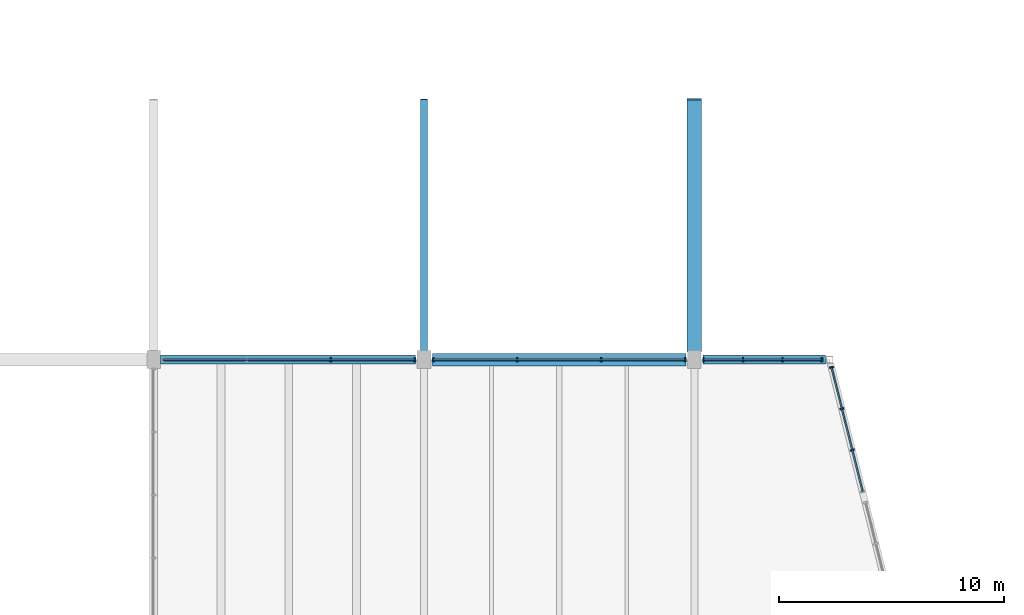
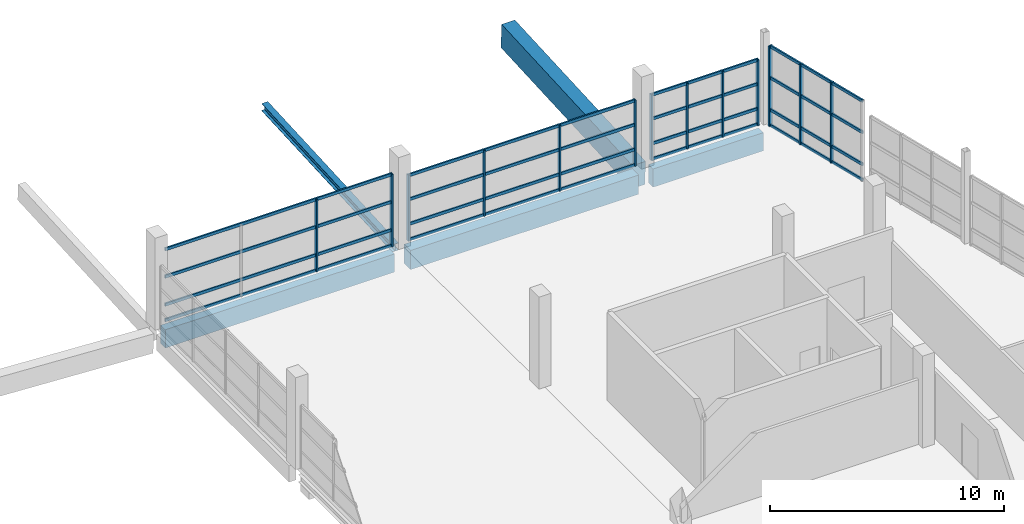
# One storey, part 25 of 49: 29 members, 5 beams, 4 elements without a shape of their own.
"""IFC4 building model written with IfcOpenShell, lengths in metres."""

from ifc_helpers import new_model, si_unit, direction, frame, origin, origin_2d, place, context, subcontext, project, spatial, rectangle, i_section, extrude, material, material_profile, profile_set, type_object, element, aggregate, save


model = new_model("IFC4")

# Units and contexts
model_context = context("Model", 3, precision=1e-05, world=origin(), true_north=direction((0.0, 1.0)))
body_context = subcontext(model_context, "Body", "Model", "MODEL_VIEW")
ifc_project = project(units=[si_unit("LENGTHUNIT", "METRE"), si_unit("AREAUNIT", "SQUARE_METRE"), si_unit("VOLUMEUNIT", "CUBIC_METRE"), si_unit("PLANEANGLEUNIT", "RADIAN"), si_unit("MASSUNIT", "GRAM", prefix="KILO")], contexts=[model_context])

# Site, building, storey
site_placement = place(None, origin())
site = spatial("IfcSite", under=ifc_project, at=site_placement, CompositionType="ELEMENT")
building_placement = place(site_placement, origin())
building = spatial("IfcBuilding", under=site, at=building_placement, Name="Kamomehara Wholesale Market", CompositionType="ELEMENT")
storey_placement = place(building_placement, frame((0.0, 0.0, 11.39990234375)))
storey = spatial("IfcBuildingStorey", under=building, at=storey_placement, Name="L02", CompositionType="ELEMENT", Elevation=11.39990234375)

# Beams
ifc_material_1 = material(Name="Precast concrete Fc45 (C40/50)", Category="concrete")
ifc_material_profile_1 = material_profile(ifc_material_1, rectangle(XDim=0.64990234375, YDim=1.25, at=origin_2d()), Name="PC-GRD-650x1250")
ifc_profile_set_1 = profile_set([ifc_material_profile_1], Name="Precast concrete Fc45 (C40/50)")
beam_type_1 = type_object("IfcBeamType", Name="BM-PG1250", PredefinedType="T_BEAM", material=ifc_profile_set_1)
beam_1_placement = place(storey_placement, frame((180.0, 96.375, -0.8837890625), z_axis=(0.0, 0.998562445583, 0.053600767457), x_axis=(-1.0, 0.0, 0.0)))
element("IfcBeam", 1, at=beam_1_placement, inside=storey, type_object=beam_type_1, Name="Beam PG-04 L02", PredefinedType="T_BEAM", context=body_context, shape_type="SweptSolid", body=[
    extrude(rectangle(XDim=0.64990234375, YDim=1.25, at=origin_2d()), origin(), (0.0, 0.0, 1.0), 11.191162109375),
])
ifc_material_2 = material(Name="Concrete Fc36 (C35/45)", Category="concrete")
ifc_material_profile_2 = material_profile(ifc_material_2, rectangle(XDim=0.550048828125, YDim=1.0, at=origin_2d()), Name="RC-SEB-550x1000")
ifc_profile_set_2 = profile_set([ifc_material_profile_2], Name="Concrete Fc36 (C35/45)")
beam_type_2 = type_object("IfcBeamType", Name="BM-SEB1000-EXT", PredefinedType="SPANDREL", material=ifc_profile_set_2)
beam_2_placement = place(storey_placement, frame((168.375, 96.0, -0.851806640625), z_axis=(1.0, 0.0, 0.0), x_axis=(0.0, 1.0, 0.0)))
element("IfcBeam", 2, at=beam_2_placement, inside=storey, type_object=beam_type_2, Name="Beam SEB-03E L02", PredefinedType="SPANDREL", context=body_context, shape_type="SweptSolid", body=[
    extrude(rectangle(XDim=0.550048828125, YDim=1.0, at=origin_2d()), origin(), (0.0, 0.0, 1.0), 11.25),
])
ifc_material_3 = material(Name="Precast concrete Fc45 (C40/50)", Category="concrete")
ifc_material_profile_3 = material_profile(ifc_material_3, rectangle(XDim=0.39990234375, YDim=0.949951171875, at=origin_2d()), Name="PC-SPN-400x950")
ifc_profile_set_3 = profile_set([ifc_material_profile_3], Name="Precast concrete Fc45 (C40/50)")
beam_type_3 = type_object("IfcBeamType", Name="BM-SPN950-EXT", PredefinedType="SPANDREL", material=ifc_profile_set_3)
beam_3_placement = place(storey_placement, frame((156.31005859375, 96.0, -0.786865234375), z_axis=(1.0, 0.0, 0.0), x_axis=(0.0, 1.0, 0.0)))
element("IfcBeam", 3, at=beam_3_placement, inside=storey, type_object=beam_type_3, Name="Beam SPN-01E L02", PredefinedType="SPANDREL", context=body_context, shape_type="SweptSolid", body=[
    extrude(rectangle(XDim=0.39990234375, YDim=0.949951171875, at=origin_2d()), origin(), (0.0, 0.0, 1.0), 11.31494140625),
])
beam_4_placement = place(storey_placement, frame((180.375, 96.0, -0.826904296875), z_axis=(1.0, 0.0, 0.0), x_axis=(0.0, 1.0, 0.0)))
element("IfcBeam", 4, at=beam_4_placement, inside=storey, type_object=beam_type_3, Name="Beam SPN-01E L02", PredefinedType="SPANDREL", context=body_context, shape_type="SweptSolid", body=[
    extrude(rectangle(XDim=0.39990234375, YDim=0.949951171875, at=origin_2d()), origin(), (0.0, 0.0, 1.0), 5.447021484375),
])
ifc_material_4 = material(Name="Steel SN490B", Category="steel")
ifc_material_profile_4 = material_profile(ifc_material_4, i_section(OverallWidth=0.300048828125, OverallDepth=0.389892578125, WebThickness=0.010009765625, FlangeThickness=0.01611328125, FilletRadius=0.01806640625, at=origin_2d()), Name="H-390x300x10x16")
ifc_profile_set_4 = profile_set([ifc_material_profile_4], Name="Steel SN490B")
beam_type_4 = type_object("IfcBeamType", Name="BM-ST-H390-EXT", PredefinedType="SPANDREL", material=ifc_profile_set_4)
beam_5_placement = place(storey_placement, frame((168.0, 96.375, -0.454833984375), z_axis=(0.0, 0.998562445583, 0.053600767457), x_axis=(-1.0, 0.0, 0.0)))
element("IfcBeam", 5, at=beam_5_placement, inside=storey, type_object=beam_type_4, Name="Beam SJ-03E L02", PredefinedType="SPANDREL", context=body_context, shape_type="SweptSolid", body=[
    extrude(i_section(OverallWidth=0.300048828125, OverallDepth=0.389892578125, WebThickness=0.010009765625, FlangeThickness=0.01611328125, FilletRadius=0.01806640625, at=origin_2d()), origin(), (0.0, 0.0, 1.0), 11.191162109375),
])

# Curtain wall, members
ifc_material_5 = material(Name="Anodised aluminium 6063-T5", Category="aluminium")
curtain_wall_type_1 = type_object("IfcCurtainWallType", Name="CW-UN-09", PredefinedType="NOTDEFINED", material=ifc_material_5)
curtain_wall_1_placement = place(storey_placement, origin())
curtain_wall_1 = element("IfcCurtainWall", 6, at=curtain_wall_1_placement, inside=storey, type_object=curtain_wall_type_1, Name="Unitised curtain wall CW-203", PredefinedType="NOTDEFINED")
ifc_material_6 = material(Name="Anodised aluminium 6063-T5", Category="aluminium")
ifc_material_profile_5 = material_profile(ifc_material_6, rectangle(XDim=0.074951171875, YDim=0.179931640625, at=origin_2d()), Name="ALU-MUL-75x180")
ifc_profile_set_5 = profile_set([ifc_material_profile_5], Name="Anodised aluminium 6063-T5")
member_type_1 = type_object("IfcMemberType", Name="CW-MUL-180", PredefinedType="MULLION", material=ifc_profile_set_5)
member_1_placement = place(storey_placement, frame((186.0849609375, 95.659912109375, 0.0), z_axis=(0.0, 0.0, 1.0), x_axis=(0.242617855844, -0.97012193874, 0.0)))
member_1 = element("IfcMember", 7, at=member_1_placement, type_object=member_type_1, Name="Mullion CW-203.0", PredefinedType="MULLION", context=body_context, shape_type="SweptSolid", body=[
    extrude(rectangle(XDim=0.074951171875, YDim=0.179931640625, at=origin_2d()), origin(), (0.0, 0.0, 1.0), 4.192138671875),
])
member_2_placement = place(storey_placement, frame((186.544921875, 93.822021484375, 0.0), z_axis=(0.0, 0.0, 1.0), x_axis=(0.242617855844, -0.97012193874, 0.0)))
member_2 = element("IfcMember", 8, at=member_2_placement, type_object=member_type_1, Name="Mullion CW-203.1", PredefinedType="MULLION", context=body_context, shape_type="SweptSolid", body=[
    extrude(rectangle(XDim=0.074951171875, YDim=0.179931640625, at=origin_2d()), origin(), (0.0, 0.0, 1.0), 4.192138671875),
])
member_3_placement = place(storey_placement, frame((187.00390625, 91.98388671875, 0.0), z_axis=(0.0, 0.0, 1.0), x_axis=(0.242617855844, -0.97012193874, 0.0)))
member_3 = element("IfcMember", 9, at=member_3_placement, type_object=member_type_1, Name="Mullion CW-203.2", PredefinedType="MULLION", context=body_context, shape_type="SweptSolid", body=[
    extrude(rectangle(XDim=0.074951171875, YDim=0.179931640625, at=origin_2d()), origin(), (0.0, 0.0, 1.0), 4.192138671875),
])

ifc_material_7 = material(Name="Anodised aluminium 6063-T5", Category="aluminium")
curtain_wall_type_2 = type_object("IfcCurtainWallType", Name="CW-UN-08", PredefinedType="NOTDEFINED", material=ifc_material_7)
curtain_wall_2_placement = place(storey_placement, origin())
curtain_wall_2 = element("IfcCurtainWall", 10, at=curtain_wall_2_placement, inside=storey, type_object=curtain_wall_type_2, Name="Unitised curtain wall CW-205", PredefinedType="NOTDEFINED")
member_4_placement = place(storey_placement, frame((163.863037109375, 96.0, 0.0), z_axis=(0.0, 0.0, 1.0), x_axis=(1.0, 0.0, 0.0)))
member_4 = element("IfcMember", 11, at=member_4_placement, type_object=member_type_1, Name="Mullion CW-205.2", PredefinedType="MULLION", context=body_context, shape_type="SweptSolid", body=[
    extrude(rectangle(XDim=0.074951171875, YDim=0.179931640625, at=origin_2d()), origin(), (0.0, 0.0, 1.0), 3.780029296875),
])
member_5_placement = place(storey_placement, frame((167.590087890625, 96.0, 0.0), z_axis=(0.0, 0.0, 1.0), x_axis=(1.0, 0.0, 0.0)))
member_5 = element("IfcMember", 12, at=member_5_placement, type_object=member_type_1, Name="Mullion CW-205.3", PredefinedType="MULLION", context=body_context, shape_type="SweptSolid", body=[
    extrude(rectangle(XDim=0.074951171875, YDim=0.179931640625, at=origin_2d()), origin(), (0.0, 0.0, 1.0), 3.780029296875),
])

curtain_wall_3_placement = place(storey_placement, origin())
curtain_wall_3 = element("IfcCurtainWall", 13, at=curtain_wall_3_placement, inside=storey, type_object=curtain_wall_type_2, Name="Unitised curtain wall CW-206", PredefinedType="NOTDEFINED")
member_6_placement = place(storey_placement, frame((168.409912109375, 96.0, 0.0), z_axis=(0.0, 0.0, 1.0), x_axis=(1.0, 0.0, 0.0)))
member_6 = element("IfcMember", 14, at=member_6_placement, type_object=member_type_1, Name="Mullion CW-206.0", PredefinedType="MULLION", context=body_context, shape_type="SweptSolid", body=[
    extrude(rectangle(XDim=0.074951171875, YDim=0.179931640625, at=origin_2d()), origin(), (0.0, 0.0, 1.0), 3.43017578125),
])
member_7_placement = place(storey_placement, frame((172.136962890625, 96.0, 0.0), z_axis=(0.0, 0.0, 1.0), x_axis=(1.0, 0.0, 0.0)))
member_7 = element("IfcMember", 15, at=member_7_placement, type_object=member_type_1, Name="Mullion CW-206.1", PredefinedType="MULLION", context=body_context, shape_type="SweptSolid", body=[
    extrude(rectangle(XDim=0.074951171875, YDim=0.179931640625, at=origin_2d()), origin(), (0.0, 0.0, 1.0), 3.43017578125),
])
member_8_placement = place(storey_placement, frame((175.863037109375, 96.0, 0.0), z_axis=(0.0, 0.0, 1.0), x_axis=(1.0, 0.0, 0.0)))
member_8 = element("IfcMember", 16, at=member_8_placement, type_object=member_type_1, Name="Mullion CW-206.2", PredefinedType="MULLION", context=body_context, shape_type="SweptSolid", body=[
    extrude(rectangle(XDim=0.074951171875, YDim=0.179931640625, at=origin_2d()), origin(), (0.0, 0.0, 1.0), 3.43017578125),
])
member_9_placement = place(storey_placement, frame((179.590087890625, 96.0, 0.0), z_axis=(0.0, 0.0, 1.0), x_axis=(1.0, 0.0, 0.0)))
member_9 = element("IfcMember", 17, at=member_9_placement, type_object=member_type_1, Name="Mullion CW-206.3", PredefinedType="MULLION", context=body_context, shape_type="SweptSolid", body=[
    extrude(rectangle(XDim=0.074951171875, YDim=0.179931640625, at=origin_2d()), origin(), (0.0, 0.0, 1.0), 3.43017578125),
])

curtain_wall_4_placement = place(storey_placement, origin())
curtain_wall_4 = element("IfcCurtainWall", 18, at=curtain_wall_4_placement, inside=storey, type_object=curtain_wall_type_2, Name="Unitised curtain wall CW-207", PredefinedType="NOTDEFINED")
member_10_placement = place(storey_placement, frame((180.409912109375, 96.0, 0.0), z_axis=(0.0, 0.0, 1.0), x_axis=(1.0, 0.0, 0.0)))
member_10 = element("IfcMember", 19, at=member_10_placement, type_object=member_type_1, Name="Mullion CW-207.0", PredefinedType="MULLION", context=body_context, shape_type="SweptSolid", body=[
    extrude(rectangle(XDim=0.074951171875, YDim=0.179931640625, at=origin_2d()), origin(), (0.0, 0.0, 1.0), 3.43017578125),
])
member_11_placement = place(storey_placement, frame((182.156982421875, 96.0, 0.0), z_axis=(0.0, 0.0, 1.0), x_axis=(1.0, 0.0, 0.0)))
member_11 = element("IfcMember", 20, at=member_11_placement, type_object=member_type_1, Name="Mullion CW-207.1", PredefinedType="MULLION", context=body_context, shape_type="SweptSolid", body=[
    extrude(rectangle(XDim=0.074951171875, YDim=0.179931640625, at=origin_2d()), origin(), (0.0, 0.0, 1.0), 3.43017578125),
])
member_12_placement = place(storey_placement, frame((183.903076171875, 96.0, 0.0), z_axis=(0.0, 0.0, 1.0), x_axis=(1.0, 0.0, 0.0)))
member_12 = element("IfcMember", 21, at=member_12_placement, type_object=member_type_1, Name="Mullion CW-207.2", PredefinedType="MULLION", context=body_context, shape_type="SweptSolid", body=[
    extrude(rectangle(XDim=0.074951171875, YDim=0.179931640625, at=origin_2d()), origin(), (0.0, 0.0, 1.0), 3.43017578125),
])
member_13_placement = place(storey_placement, frame((185.64990234375, 96.0, 0.0), z_axis=(0.0, 0.0, 1.0), x_axis=(1.0, 0.0, 0.0)))
member_13 = element("IfcMember", 22, at=member_13_placement, type_object=member_type_1, Name="Mullion CW-207.3", PredefinedType="MULLION", context=body_context, shape_type="SweptSolid", body=[
    extrude(rectangle(XDim=0.074951171875, YDim=0.179931640625, at=origin_2d()), origin(), (0.0, 0.0, 1.0), 3.43017578125),
])

# Member
ifc_material_8 = material(Name="Anodised aluminium 6063-T5", Category="aluminium")
ifc_material_profile_6 = material_profile(ifc_material_8, rectangle(XDim=0.074951171875, YDim=0.14990234375, at=origin_2d()), Name="ALU-TRN-75x150")
ifc_profile_set_6 = profile_set([ifc_material_profile_6], Name="Anodised aluminium 6063-T5")
member_type_2 = type_object("IfcMemberType", Name="CW-TRN-150", PredefinedType="USERDEFINED", material=ifc_profile_set_6)
member_14_placement = place(storey_placement, frame((186.0849609375, 95.659912109375, 0.0400390625), z_axis=(0.242646798343, -0.97011470005, 0.0), x_axis=(0.97011470005, 0.242646798343, 0.0)))
member_14 = element("IfcMember", 23, at=member_14_placement, type_object=member_type_2, Name="Transom CW-203.0", ObjectType="TRANSOM", PredefinedType="USERDEFINED", context=body_context, shape_type="SweptSolid", body=[
    extrude(rectangle(XDim=0.074951171875, YDim=0.14990234375, at=origin_2d()), origin(), (0.0, 0.0, 1.0), 5.683837890625),
])

member_15_placement = place(storey_placement, frame((186.0849609375, 95.659912109375, 0.85009765625), z_axis=(0.242646798343, -0.97011470005, 0.0), x_axis=(0.97011470005, 0.242646798343, 0.0)))
member_15 = element("IfcMember", 24, at=member_15_placement, type_object=member_type_2, Name="Transom CW-203.1", ObjectType="TRANSOM", PredefinedType="USERDEFINED", context=body_context, shape_type="SweptSolid", body=[
    extrude(rectangle(XDim=0.074951171875, YDim=0.14990234375, at=origin_2d()), origin(), (0.0, 0.0, 1.0), 5.683837890625),
])

member_16_placement = place(storey_placement, frame((186.0849609375, 95.659912109375, 2.52099609375), z_axis=(0.242646798343, -0.97011470005, 0.0), x_axis=(0.97011470005, 0.242646798343, 0.0)))
member_16 = element("IfcMember", 25, at=member_16_placement, type_object=member_type_2, Name="Transom CW-203.2", ObjectType="TRANSOM", PredefinedType="USERDEFINED", context=body_context, shape_type="SweptSolid", body=[
    extrude(rectangle(XDim=0.074951171875, YDim=0.14990234375, at=origin_2d()), origin(), (0.0, 0.0, 1.0), 5.683837890625),
])

member_17_placement = place(storey_placement, frame((186.0849609375, 95.659912109375, 4.152099609375), z_axis=(0.242646798343, -0.97011470005, 0.0), x_axis=(0.97011470005, 0.242646798343, 0.0)))
member_17 = element("IfcMember", 26, at=member_17_placement, type_object=member_type_2, Name="Transom CW-203.3", ObjectType="TRANSOM", PredefinedType="USERDEFINED", context=body_context, shape_type="SweptSolid", body=[
    extrude(rectangle(XDim=0.074951171875, YDim=0.14990234375, at=origin_2d()), origin(), (0.0, 0.0, 1.0), 5.683837890625),
])

aggregate(curtain_wall_1, [member_1, member_2, member_3, member_14, member_15, member_16, member_17])

member_18_placement = place(storey_placement, frame((156.409912109375, 96.0, 0.0400390625), z_axis=(1.0, 0.0, 0.0), x_axis=(0.0, 1.0, 0.0)))
member_18 = element("IfcMember", 27, at=member_18_placement, type_object=member_type_2, Name="Transom CW-205.0", ObjectType="TRANSOM", PredefinedType="USERDEFINED", context=body_context, shape_type="SweptSolid", body=[
    extrude(rectangle(XDim=0.074951171875, YDim=0.14990234375, at=origin_2d()), origin(), (0.0, 0.0, 1.0), 11.18017578125),
])

member_19_placement = place(storey_placement, frame((156.409912109375, 96.0, 0.85009765625), z_axis=(1.0, 0.0, 0.0), x_axis=(0.0, 1.0, 0.0)))
member_19 = element("IfcMember", 28, at=member_19_placement, type_object=member_type_2, Name="Transom CW-205.1", ObjectType="TRANSOM", PredefinedType="USERDEFINED", context=body_context, shape_type="SweptSolid", body=[
    extrude(rectangle(XDim=0.074951171875, YDim=0.14990234375, at=origin_2d()), origin(), (0.0, 0.0, 1.0), 11.18017578125),
])

member_20_placement = place(storey_placement, frame((156.409912109375, 96.0, 2.315185546875), z_axis=(1.0, 0.0, 0.0), x_axis=(0.0, 1.0, 0.0)))
member_20 = element("IfcMember", 29, at=member_20_placement, type_object=member_type_2, Name="Transom CW-205.2", ObjectType="TRANSOM", PredefinedType="USERDEFINED", context=body_context, shape_type="SweptSolid", body=[
    extrude(rectangle(XDim=0.074951171875, YDim=0.14990234375, at=origin_2d()), origin(), (0.0, 0.0, 1.0), 11.18017578125),
])

member_21_placement = place(storey_placement, frame((156.409912109375, 96.0, 3.739990234375), z_axis=(1.0, 0.0, 0.0), x_axis=(0.0, 1.0, 0.0)))
member_21 = element("IfcMember", 30, at=member_21_placement, type_object=member_type_2, Name="Transom CW-205.3", ObjectType="TRANSOM", PredefinedType="USERDEFINED", context=body_context, shape_type="SweptSolid", body=[
    extrude(rectangle(XDim=0.074951171875, YDim=0.14990234375, at=origin_2d()), origin(), (0.0, 0.0, 1.0), 11.18017578125),
])

aggregate(curtain_wall_2, [member_4, member_5, member_18, member_19, member_20, member_21])

member_22_placement = place(storey_placement, frame((168.409912109375, 96.0, 0.0400390625), z_axis=(1.0, 0.0, 0.0), x_axis=(0.0, 1.0, 0.0)))
member_22 = element("IfcMember", 31, at=member_22_placement, type_object=member_type_2, Name="Transom CW-206.0", ObjectType="TRANSOM", PredefinedType="USERDEFINED", context=body_context, shape_type="SweptSolid", body=[
    extrude(rectangle(XDim=0.074951171875, YDim=0.14990234375, at=origin_2d()), origin(), (0.0, 0.0, 1.0), 11.18017578125),
])

member_23_placement = place(storey_placement, frame((168.409912109375, 96.0, 0.85009765625), z_axis=(1.0, 0.0, 0.0), x_axis=(0.0, 1.0, 0.0)))
member_23 = element("IfcMember", 32, at=member_23_placement, type_object=member_type_2, Name="Transom CW-206.1", ObjectType="TRANSOM", PredefinedType="USERDEFINED", context=body_context, shape_type="SweptSolid", body=[
    extrude(rectangle(XDim=0.074951171875, YDim=0.14990234375, at=origin_2d()), origin(), (0.0, 0.0, 1.0), 11.18017578125),
])

member_24_placement = place(storey_placement, frame((168.409912109375, 96.0, 2.14013671875), z_axis=(1.0, 0.0, 0.0), x_axis=(0.0, 1.0, 0.0)))
member_24 = element("IfcMember", 33, at=member_24_placement, type_object=member_type_2, Name="Transom CW-206.2", ObjectType="TRANSOM", PredefinedType="USERDEFINED", context=body_context, shape_type="SweptSolid", body=[
    extrude(rectangle(XDim=0.074951171875, YDim=0.14990234375, at=origin_2d()), origin(), (0.0, 0.0, 1.0), 11.18017578125),
])

member_25_placement = place(storey_placement, frame((168.409912109375, 96.0, 3.39013671875), z_axis=(1.0, 0.0, 0.0), x_axis=(0.0, 1.0, 0.0)))
member_25 = element("IfcMember", 34, at=member_25_placement, type_object=member_type_2, Name="Transom CW-206.3", ObjectType="TRANSOM", PredefinedType="USERDEFINED", context=body_context, shape_type="SweptSolid", body=[
    extrude(rectangle(XDim=0.074951171875, YDim=0.14990234375, at=origin_2d()), origin(), (0.0, 0.0, 1.0), 11.18017578125),
])

aggregate(curtain_wall_3, [member_6, member_7, member_8, member_9, member_22, member_23, member_24, member_25])

member_26_placement = place(storey_placement, frame((180.409912109375, 96.0, 0.0400390625), z_axis=(1.0, 0.0, 0.0), x_axis=(0.0, 1.0, 0.0)))
member_26 = element("IfcMember", 35, at=member_26_placement, type_object=member_type_2, Name="Transom CW-207.0", ObjectType="TRANSOM", PredefinedType="USERDEFINED", context=body_context, shape_type="SweptSolid", body=[
    extrude(rectangle(XDim=0.074951171875, YDim=0.14990234375, at=origin_2d()), origin(), (0.0, 0.0, 1.0), 5.239990234375),
])

member_27_placement = place(storey_placement, frame((180.409912109375, 96.0, 0.85009765625), z_axis=(1.0, 0.0, 0.0), x_axis=(0.0, 1.0, 0.0)))
member_27 = element("IfcMember", 36, at=member_27_placement, type_object=member_type_2, Name="Transom CW-207.1", ObjectType="TRANSOM", PredefinedType="USERDEFINED", context=body_context, shape_type="SweptSolid", body=[
    extrude(rectangle(XDim=0.074951171875, YDim=0.14990234375, at=origin_2d()), origin(), (0.0, 0.0, 1.0), 5.239990234375),
])

member_28_placement = place(storey_placement, frame((180.409912109375, 96.0, 2.14013671875), z_axis=(1.0, 0.0, 0.0), x_axis=(0.0, 1.0, 0.0)))
member_28 = element("IfcMember", 37, at=member_28_placement, type_object=member_type_2, Name="Transom CW-207.2", ObjectType="TRANSOM", PredefinedType="USERDEFINED", context=body_context, shape_type="SweptSolid", body=[
    extrude(rectangle(XDim=0.074951171875, YDim=0.14990234375, at=origin_2d()), origin(), (0.0, 0.0, 1.0), 5.239990234375),
])

member_29_placement = place(storey_placement, frame((180.409912109375, 96.0, 3.39013671875), z_axis=(1.0, 0.0, 0.0), x_axis=(0.0, 1.0, 0.0)))
member_29 = element("IfcMember", 38, at=member_29_placement, type_object=member_type_2, Name="Transom CW-207.3", ObjectType="TRANSOM", PredefinedType="USERDEFINED", context=body_context, shape_type="SweptSolid", body=[
    extrude(rectangle(XDim=0.074951171875, YDim=0.14990234375, at=origin_2d()), origin(), (0.0, 0.0, 1.0), 5.239990234375),
])

aggregate(curtain_wall_4, [member_10, member_11, member_12, member_13, member_26, member_27, member_28, member_29])

save(model, "model.ifc")
